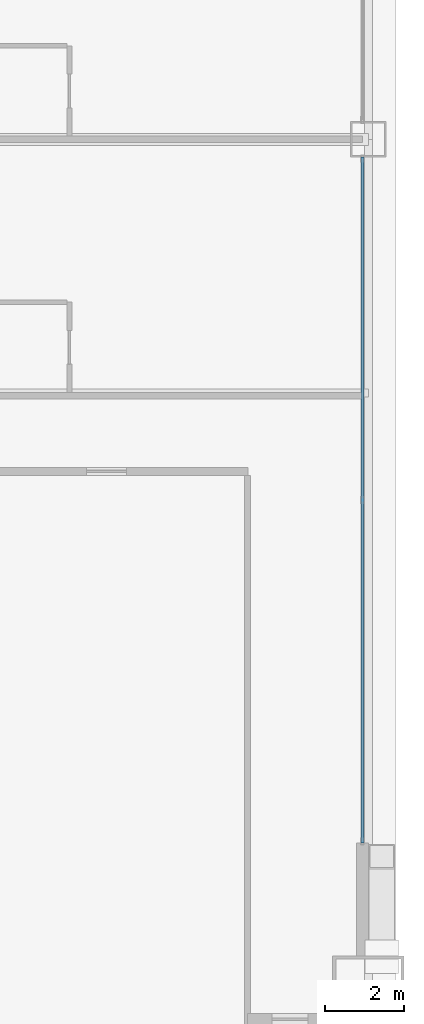
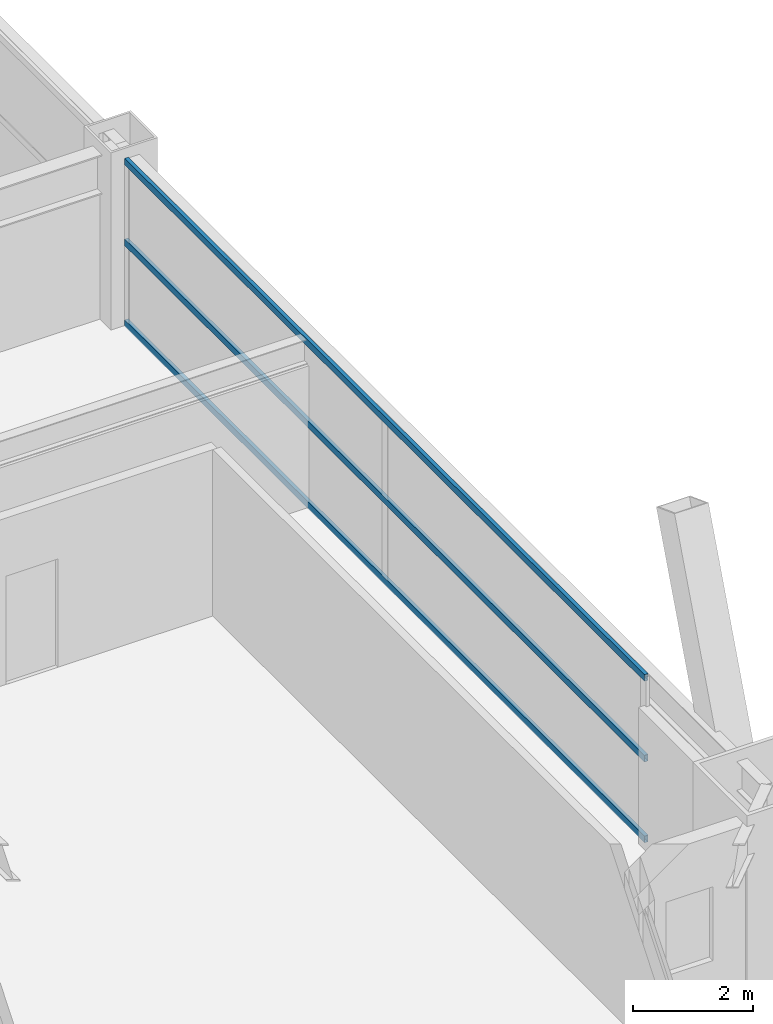
# One storey, part 20 of 43: 3 members, 1 element without a shape of its own.
"""IFC4 building model written with IfcOpenShell, lengths in metres."""

import ifcopenshell
import ifcopenshell.guid

model = None  # the IFC model being written
_history = None  # IfcOwnerHistory: only IFC2X3 demands one
_inside = {}  # id of a spatial element -> (the spatial element, [elements in it])
_under = {}  # id of a project, library or spatial element -> (it, [spatial elements below it])
_declared = {}  # id of a project -> (the project, [libraries it declares])
_typed = {}  # id of a type object -> (the type object, [elements of that type])
_made_of = {}  # id of a material, layer set ... -> (it, [elements and type objects made of it])


def new_model(schema):
    """Start an empty IFC model of exactly this schema.

    Asked for "IFC4X3", IfcOpenShell would pick the latest addendum, in which some entities
    have other attributes; the version numbers below select the first issue.
    IFC2X3 requires an IfcOwnerHistory on every rooted entity: one is made here for all.
    """
    global model, _history
    if schema == "IFC4X3":
        model = ifcopenshell.file(schema_version=(4, 3, 0, 0))
    else:
        model = ifcopenshell.file(schema=schema)
    _inside.clear()
    _under.clear()
    _declared.clear()
    _typed.clear()
    _made_of.clear()
    _history = None
    if model.schema == "IFC2X3":
        org = make("IfcOrganization", Name="unknown")
        user = make(
            "IfcPersonAndOrganization",
            ThePerson=make("IfcPerson", FamilyName="unknown"),
            TheOrganization=org,
        )
        app = make(
            "IfcApplication",
            ApplicationDeveloper=org,
            Version="unknown",
            ApplicationFullName="unknown",
            ApplicationIdentifier="unknown",
        )
        _history = make(
            "IfcOwnerHistory",
            OwningUser=user,
            OwningApplication=app,
            ChangeAction="ADDED",
            CreationDate=0,
        )
    return model


def make(cls, **values):
    """One entity of the class cls with the attributes given. An attribute that is None is left unset."""
    return model.create_entity(
        cls, **{name: value for name, value in values.items() if value is not None}
    )


def rooted(cls, **values):
    """An entity with a GlobalId (a new one), such as an element, a storey or a relation."""
    return make(cls, GlobalId=ifcopenshell.guid.new(), OwnerHistory=_history, **values)


def si_unit(unit_type, name, prefix=None):
    """IfcSIUnit, for example si_unit("LENGTHUNIT", "METRE", prefix="MILLI")."""
    return make("IfcSIUnit", UnitType=unit_type, Prefix=prefix, Name=name)


def assignment(units):
    """IfcUnitAssignment: the units of a project."""
    return None if units is None else make("IfcUnitAssignment", Units=units)


def point(xyz):
    """IfcCartesianPoint."""
    return None if xyz is None else make("IfcCartesianPoint", Coordinates=xyz)


def direction(xyz):
    """IfcDirection."""
    return None if xyz is None else make("IfcDirection", DirectionRatios=xyz)


def frame(location, z_axis=None, x_axis=None):
    """IfcAxis2Placement3D, a coordinate frame: its origin and axes. An axis left out is left unset."""
    return make(
        "IfcAxis2Placement3D",
        Location=point(location),
        Axis=direction(z_axis),
        RefDirection=direction(x_axis),
    )


def frame_2d(location, x_axis=None):
    """IfcAxis2Placement2D, a coordinate frame in the plane: its origin and x axis."""
    return make(
        "IfcAxis2Placement2D", Location=point(location), RefDirection=direction(x_axis)
    )


def origin():
    """The frame at (0, 0, 0) with its axes left unset."""
    return frame((0.0, 0.0, 0.0))


def origin_2d():
    """The frame at (0, 0) in the plane with its x axis left unset."""
    return frame_2d((0.0, 0.0))


def place(relative_to, where):
    """IfcLocalPlacement: puts the frame where relative to a parent placement (None: the world)."""
    return make(
        "IfcLocalPlacement", PlacementRelTo=relative_to, RelativePlacement=where
    )


def context(
    kind, dimensions, precision=None, world=None, true_north=None, identifier=None
):
    """IfcGeometricRepresentationContext, for example the 3D "Model" context."""
    return make(
        "IfcGeometricRepresentationContext",
        ContextIdentifier=identifier,
        ContextType=kind,
        CoordinateSpaceDimension=dimensions,
        Precision=precision,
        WorldCoordinateSystem=world,
        TrueNorth=true_north,
    )


def subcontext(parent, identifier, kind, view, scale=None):
    """IfcGeometricRepresentationSubContext, for example "Body" below "Model"."""
    return make(
        "IfcGeometricRepresentationSubContext",
        ContextIdentifier=identifier,
        ContextType=kind,
        ParentContext=parent,
        TargetScale=scale,
        TargetView=view,
    )


def project(units=None, contexts=None):
    """IfcProject with its units and contexts."""
    return rooted(
        "IfcProject",
        Name="project",
        RepresentationContexts=contexts,
        UnitsInContext=assignment(units),
    )


def spatial(cls, under=None, at=None, **own):
    """A site, building, storey or space (cls), placed at a placement, below another one or the project."""
    s = rooted(cls, ObjectPlacement=at, **own)
    if under is not None:
        _under.setdefault(under.id(), (under, []))[1].append(s)
    return s


def profile(cls, at=None, kind="AREA", **sizes):
    """A parametric profile (cls). Its sizes go by their IFC names, for example OverallWidth=200.0."""
    return make(cls, ProfileType=kind, Position=at, **sizes)


def hollow_rectangle(**sizes):
    """IfcRectangleHollowProfileDef."""
    return profile("IfcRectangleHollowProfileDef", **sizes)


def extrude(swept, where, along, depth):
    """IfcExtrudedAreaSolid: the profile swept, set in the frame where, extruded along a direction by depth."""
    return make(
        "IfcExtrudedAreaSolid",
        SweptArea=swept,
        Position=where,
        ExtrudedDirection=direction(along),
        Depth=depth,
    )


def shape(context_of_items, identifier, shape_type, items):
    """IfcShapeRepresentation: the items that make up one representation, for example the "Body"."""
    return make(
        "IfcShapeRepresentation",
        ContextOfItems=context_of_items,
        RepresentationIdentifier=identifier,
        RepresentationType=shape_type,
        Items=items,
    )


def source(mapping_origin, context_of_items, identifier, shape_type, items):
    """IfcRepresentationMap: a shape defined once, which mapped items show again and again."""
    return make(
        "IfcRepresentationMap",
        MappingOrigin=mapping_origin,
        MappedRepresentation=shape(context_of_items, identifier, shape_type, items),
    )


def transform(
    local_origin,
    x_axis=None,
    y_axis=None,
    z_axis=None,
    scale=None,
    scale2=None,
    scale3=None,
    uniform=True,
):
    """IfcCartesianTransformationOperator3D, or its non-uniform kind. x_axis, y_axis, z_axis: its Axis1, 2, 3."""
    if uniform:
        return make(
            "IfcCartesianTransformationOperator3D",
            Axis1=direction(x_axis),
            Axis2=direction(y_axis),
            LocalOrigin=point(local_origin),
            Scale=scale,
            Axis3=direction(z_axis),
        )
    return make(
        "IfcCartesianTransformationOperator3DnonUniform",
        Axis1=direction(x_axis),
        Axis2=direction(y_axis),
        LocalOrigin=point(local_origin),
        Scale=scale,
        Axis3=direction(z_axis),
        Scale2=scale2,
        Scale3=scale3,
    )


def mapped(mapping_source, mapping_target):
    """IfcMappedItem: shows the shape of a source again, moved by a transform."""
    return make(
        "IfcMappedItem", MappingSource=mapping_source, MappingTarget=mapping_target
    )


def material(Name=None, Category=None):
    """IfcMaterial."""
    return make("IfcMaterial", Name=Name, Category=Category)


def layer(
    of_material, thickness, ventilated=None, Name=None, Category=None, Priority=None
):
    """IfcMaterialLayer: one layer of a wall or slab, of a material (None: an air gap)."""
    return make(
        "IfcMaterialLayer",
        Material=of_material,
        LayerThickness=thickness,
        IsVentilated=ventilated,
        Name=Name,
        Category=Category,
        Priority=Priority,
    )


def layer_set(layers, Name=None):
    """IfcMaterialLayerSet."""
    return make("IfcMaterialLayerSet", MaterialLayers=layers, LayerSetName=Name)


def material_profile(
    of_material, cross_section, Name=None, Category=None, Priority=None
):
    """IfcMaterialProfile: a cross section and its material."""
    return make(
        "IfcMaterialProfile",
        Name=Name,
        Material=of_material,
        Profile=cross_section,
        Priority=Priority,
        Category=Category,
    )


def profile_set(profiles, Name=None, composite=None):
    """IfcMaterialProfileSet."""
    return make(
        "IfcMaterialProfileSet",
        Name=Name,
        MaterialProfiles=profiles,
        CompositeProfile=composite,
    )


def made_of(thing, what):
    """Note that an element or type object is made of a material, layer set ...; save() writes the relation."""
    if what is not None:
        _made_of.setdefault(what.id(), (what, []))[1].append(thing)
    return thing


def type_object(cls, material=None, **own):
    """A type object (cls), such as IfcWallType, which elements share."""
    return made_of(rooted(cls, **own), material)


def element(
    cls,
    number,
    at=None,
    inside=None,
    cuts=None,
    type_object=None,
    material=None,
    context=None,
    identifier="Body",
    shape_type=None,
    held_by="IfcProductDefinitionShape",
    body=None,
    shapes=None,
    **own,
):
    """One element of the class cls, such as IfcWall. Its Tag is "e" and its number.

    at: its placement. inside: the storey or other place that contains it. cuts: it is an
    opening in that element (IfcRelVoidsElement). A single representation is given by context,
    identifier, shape_type and body (its items); several are given by shapes. held_by: the class
    of the entity that holds the representations. save() writes the other relations.
    """
    e = rooted(cls, Tag="e%d" % number, ObjectPlacement=at, **own)
    if body is not None:
        shapes = [shape(context, identifier, shape_type, body)]
    if shapes is not None:
        e.Representation = make(held_by, Representations=shapes)
    if inside is not None:
        _inside.setdefault(inside.id(), (inside, []))[1].append(e)
    if cuts is not None:
        rooted(
            "IfcRelVoidsElement", RelatingBuildingElement=cuts, RelatedOpeningElement=e
        )
    if type_object is not None:
        _typed.setdefault(type_object.id(), (type_object, []))[1].append(e)
    return made_of(e, material)


def aggregate(whole, parts):
    """IfcRelAggregates: a whole, such as a stair, and the parts it consists of."""
    return rooted("IfcRelAggregates", RelatingObject=whole, RelatedObjects=parts)


def save(model, path):
    """Write the relations noted so far, then the file.

    IfcRelAggregates (storeys below a building ...), IfcRelContainedInSpatialStructure (elements
    in a storey), IfcRelDefinesByType, IfcRelAssociatesMaterial and IfcRelDeclares: one each for
    every whole, place, type object, material and project.
    """
    for whole, parts in _under.values():
        aggregate(whole, parts)
    for where, things in _inside.values():
        rooted(
            "IfcRelContainedInSpatialStructure",
            RelatedElements=things,
            RelatingStructure=where,
        )
    for kind, things in _typed.values():
        rooted("IfcRelDefinesByType", RelatedObjects=things, RelatingType=kind)
    for what, things in _made_of.values():
        rooted("IfcRelAssociatesMaterial", RelatedObjects=things, RelatingMaterial=what)
    for by, libraries in _declared.values():
        rooted("IfcRelDeclares", RelatingContext=by, RelatedDefinitions=libraries)
    model.write(path)


model = new_model("IFC4")

# Units and contexts
model_context = context("Model", 3, precision=1e-05, world=origin(), true_north=direction((0.0, 1.0)))
body_context = subcontext(model_context, "Body", "Model", "MODEL_VIEW")
ifc_project = project(units=[si_unit("LENGTHUNIT", "METRE"), si_unit("AREAUNIT", "SQUARE_METRE"), si_unit("VOLUMEUNIT", "CUBIC_METRE"), si_unit("PLANEANGLEUNIT", "RADIAN"), si_unit("MASSUNIT", "GRAM", prefix="KILO"), si_unit("THERMODYNAMICTEMPERATUREUNIT", "KELVIN"), si_unit("POWERUNIT", "WATT")], contexts=[model_context])

# Site, building, storey
site_placement = place(None, origin())
site = spatial("IfcSite", under=ifc_project, at=site_placement, CompositionType="ELEMENT")
building_placement = place(site_placement, origin())
building = spatial("IfcBuilding", under=site, at=building_placement, Name="Yuzanri Waterfront Tower", CompositionType="ELEMENT")
storey_placement = place(building_placement, frame((0.0, 0.0, 46.0)))
storey = spatial("IfcBuildingStorey", under=building, at=storey_placement, Name="L11", CompositionType="ELEMENT", Elevation=46.0)

# Curtain wall, members
ifc_material_1 = material(Name="Anodized Architectural Bronze", Category="metal")
ifc_layer = layer(ifc_material_1, 0.159912109375)
ifc_layer_set = layer_set([ifc_layer], Name="Anodized Architectural Bronze")
curtain_wall_type = type_object("IfcCurtainWallType", Name="Anodized Bronze Hotel Lower-Tier Recessed Unitized Curtain Wall 8100", PredefinedType="NOTDEFINED", material=ifc_layer_set)
curtain_wall_placement = place(storey_placement, origin())
curtain_wall = element("IfcCurtainWall", 1, at=curtain_wall_placement, inside=storey, type_object=curtain_wall_type, Name="L11 Curtain Wall CW-L11-EL", PredefinedType="NOTDEFINED")
ifc_material_2 = material(Name="Anodized Architectural Bronze", Category="metal")
ifc_material_profile = material_profile(ifc_material_2, hollow_rectangle(XDim=0.070068359375, YDim=0.135009765625, WallThickness=0.00341796875, at=origin_2d()), Name="CWT 70x135")
ifc_profile_set = profile_set([ifc_material_profile], Name="Anodized Architectural Bronze")
member_type = type_object("IfcMemberType", Name="Anodized Bronze Standard Curtain-Wall Transom 70x135", PredefinedType="USERDEFINED", material=ifc_profile_set)
shared_shape = source(origin(), body_context, "Body", "SweptSolid", [
    extrude(hollow_rectangle(XDim=0.070068359375, YDim=0.135009765625, WallThickness=0.00341796875, at=origin_2d()), origin(), (0.0, 0.0, 1.0), 17.300048828125),
])
member_1_placement = place(storey_placement, frame((61.949951171875, 8.050048828125, 0.050048828125), z_axis=(0.0, 1.0, 0.0), x_axis=(-1.0, 0.0, 0.0)))
member_1 = element("IfcMember", 2, at=member_1_placement, type_object=member_type, Name="CW-L11-EL Transom 1", ObjectType="TRANSOM", PredefinedType="USERDEFINED", context=body_context, shape_type="MappedRepresentation", body=[
    mapped(shared_shape, transform((0.0, 0.0, 0.0), scale=1.0)),
])
member_2_placement = place(storey_placement, frame((61.949951171875, 8.050048828125, 1.68994140625), z_axis=(0.0, 1.0, 0.0), x_axis=(-1.0, 0.0, 0.0)))
member_2 = element("IfcMember", 3, at=member_2_placement, type_object=member_type, Name="CW-L11-EL Transom 2", ObjectType="TRANSOM", PredefinedType="USERDEFINED", context=body_context, shape_type="MappedRepresentation", body=[
    mapped(shared_shape, transform((0.0, 0.0, 0.0), scale=1.0)),
])
member_3_placement = place(storey_placement, frame((61.949951171875, 8.050048828125, 3.330078125), z_axis=(0.0, 1.0, 0.0), x_axis=(-1.0, 0.0, 0.0)))
member_3 = element("IfcMember", 4, at=member_3_placement, type_object=member_type, Name="CW-L11-EL Transom 3", ObjectType="TRANSOM", PredefinedType="USERDEFINED", context=body_context, shape_type="MappedRepresentation", body=[
    mapped(shared_shape, transform((0.0, 0.0, 0.0), scale=1.0)),
])
aggregate(curtain_wall, [member_1, member_2, member_3])

save(model, "model.ifc")
